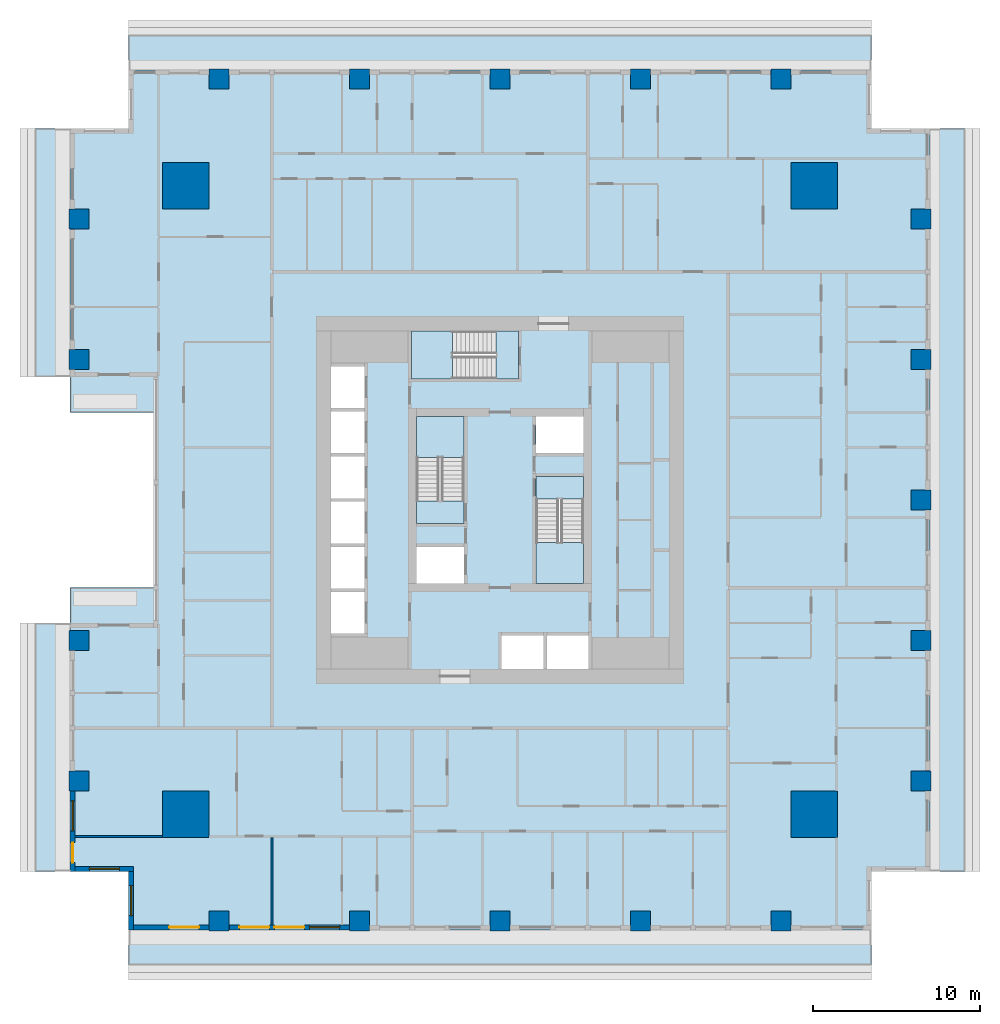
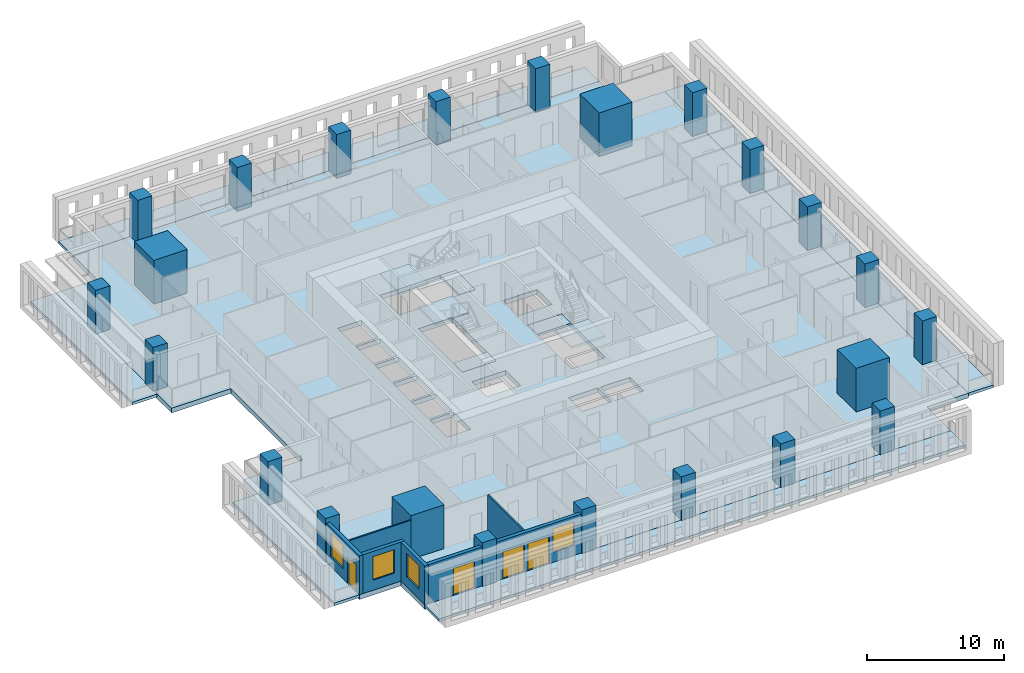
# One storey, part 1 of 15: 23 columns, 12 slabs, 7 walls, 4 doors, 4 windows, 8 openings, 3 elements without a shape of their own.
"""IFC4 building model written with IfcOpenShell, lengths in metres."""

from ifc_helpers import new_model, si_unit, direction, frame, frame_2d, origin, origin_2d, place, context, subcontext, project, spatial, polyline, rectangle, outline, extrude, material, layer, layer_set, material_profile, profile_set, type_object, element, fill, aggregate, save


model = new_model("IFC4")

# Units and contexts
model_context = context("Model", 3, precision=1e-05, world=origin(), true_north=direction((0.0, 1.0)))
body_context = subcontext(model_context, "Body", "Model", "MODEL_VIEW")
ifc_project = project(units=[si_unit("LENGTHUNIT", "METRE"), si_unit("AREAUNIT", "SQUARE_METRE"), si_unit("VOLUMEUNIT", "CUBIC_METRE"), si_unit("PLANEANGLEUNIT", "RADIAN"), si_unit("MASSUNIT", "GRAM", prefix="KILO")], contexts=[model_context])

# Site, building, storey
site_placement = place(None, origin())
site = spatial("IfcSite", under=ifc_project, at=site_placement, CompositionType="ELEMENT")
building_placement = place(site_placement, origin())
building = spatial("IfcBuilding", under=site, at=building_placement, Name="Khepri Terraces", CompositionType="ELEMENT")
storey_placement = place(building_placement, frame((0.0, 0.0, 94.800048828125)))
storey = spatial("IfcBuildingStorey", under=building, at=storey_placement, Name="L22", CompositionType="ELEMENT", Elevation=94.800048828125)

# Columns
ifc_material_1 = material(Name="Concrete C70/85", Category="concrete")
ifc_material_profile_1 = material_profile(ifc_material_1, rectangle(XDim=2.800048828125, YDim=2.800048828125, at=origin_2d()), Name="Concrete C70/85", Category="concrete")
ifc_profile_set_1 = profile_set([ifc_material_profile_1], Name="Concrete C70/85")
column_type_1 = type_object("IfcColumnType", Name="Mega column RC 2800x2800 C70/85", PredefinedType="COLUMN", material=ifc_profile_set_1)
for number, where, z_axis, x_axis, name in (
    (1, (18.800048828125, 18.800048828125, 0.0), (0.0, 0.0, 1.0), (1.0, 0.0, 0.0), "Mega column MEN L22"),
    (2, (18.800048828125, -18.800048828125, 0.0), (0.0, 0.0, 1.0), (1.0, 0.0, 0.0), "Mega column MES L22"),
    (3, (-18.800048828125, 18.800048828125, 0.0), (0.0, 0.0, 1.0), (1.0, 0.0, 0.0), "Mega column MWN L22"),
    (4, (-18.800048828125, -18.800048828125, 0.0), (0.0, 0.0, 1.0), (1.0, 0.0, 0.0), "Mega column MWS L22"),
):
    element("IfcColumn", number, at=place(storey_placement, frame(where, z_axis=z_axis, x_axis=x_axis)), inside=storey, type_object=column_type_1, Name=name, PredefinedType="COLUMN", context=body_context, shape_type="SweptSolid", body=[
        extrude(rectangle(XDim=2.800048828125, YDim=2.800048828125, at=origin_2d()), origin(), (0.0, 0.0, 1.0), 3.89990234375),
    ])
ifc_material_profile_2 = material_profile(ifc_material_1, rectangle(XDim=1.199951171875, YDim=1.199951171875, at=origin_2d()), Name="Concrete C70/85", Category="concrete")
ifc_profile_set_2 = profile_set([ifc_material_profile_2], Name="Concrete C70/85")
column_type_2 = type_object("IfcColumnType", Name="Tower column RC 1200x1200 C70/85", PredefinedType="COLUMN", material=ifc_profile_set_2)
for number, where, z_axis, x_axis, name in (
    (5, (25.199951171875, 0.0, 0.0), (0.0, 0.0, 1.0), (1.0, 0.0, 0.0), "Perimeter column PE+000a L22"),
    (6, (25.199951171875, 8.39990234375, 0.0), (0.0, 0.0, 1.0), (1.0, 0.0, 0.0), "Perimeter column PE+084a L22"),
    (7, (25.199951171875, 16.800048828125, 0.0), (0.0, 0.0, 1.0), (1.0, 0.0, 0.0), "Perimeter column PE+168a L22"),
    (8, (25.199951171875, -8.39990234375, 0.0), (0.0, 0.0, 1.0), (1.0, 0.0, 0.0), "Perimeter column PE-084a L22"),
    (9, (25.199951171875, -16.800048828125, 0.0), (0.0, 0.0, 1.0), (1.0, 0.0, 0.0), "Perimeter column PE-168a L22"),
    (10, (0.0, 25.199951171875, 0.0), (0.0, 0.0, 1.0), (1.0, 0.0, 0.0), "Perimeter column PN+000a L22"),
    (11, (-8.39990234375, 25.199951171875, 0.0), (0.0, 0.0, 1.0), (1.0, 0.0, 0.0), "Perimeter column PN+084a L22"),
    (12, (-16.800048828125, 25.199951171875, 0.0), (0.0, 0.0, 1.0), (1.0, 0.0, 0.0), "Perimeter column PN+168a L22"),
    (13, (8.39990234375, 25.199951171875, 0.0), (0.0, 0.0, 1.0), (1.0, 0.0, 0.0), "Perimeter column PN-084a L22"),
    (14, (16.800048828125, 25.199951171875, 0.0), (0.0, 0.0, 1.0), (1.0, 0.0, 0.0), "Perimeter column PN-168a L22"),
    (15, (0.0, -25.199951171875, 0.0), (0.0, 0.0, 1.0), (1.0, 0.0, 0.0), "Perimeter column PS+000b L22"),
    (16, (8.39990234375, -25.199951171875, 0.0), (0.0, 0.0, 1.0), (1.0, 0.0, 0.0), "Perimeter column PS+084b L22"),
    (17, (16.800048828125, -25.199951171875, 0.0), (0.0, 0.0, 1.0), (1.0, 0.0, 0.0), "Perimeter column PS+168a L22"),
    (18, (-8.39990234375, -25.199951171875, 0.0), (0.0, 0.0, 1.0), (1.0, 0.0, 0.0), "Perimeter column PS-084b L22"),
    (19, (-16.800048828125, -25.199951171875, 0.0), (0.0, 0.0, 1.0), (1.0, 0.0, 0.0), "Perimeter column PS-168a L22"),
    (20, (-25.199951171875, -8.39990234375, 0.0), (0.0, 0.0, 1.0), (1.0, 0.0, 0.0), "Perimeter column PW+084a L22"),
    (21, (-25.199951171875, -16.800048828125, 0.0), (0.0, 0.0, 1.0), (1.0, 0.0, 0.0), "Perimeter column PW+168a L22"),
    (22, (-25.199951171875, 8.39990234375, 0.0), (0.0, 0.0, 1.0), (1.0, 0.0, 0.0), "Perimeter column PW-084a L22"),
    (23, (-25.199951171875, 16.800048828125, 0.0), (0.0, 0.0, 1.0), (1.0, 0.0, 0.0), "Perimeter column PW-168a L22"),
):
    element("IfcColumn", number, at=place(storey_placement, frame(where, z_axis=z_axis, x_axis=x_axis)), inside=storey, type_object=column_type_2, Name=name, PredefinedType="COLUMN", context=body_context, shape_type="SweptSolid", body=[
        extrude(rectangle(XDim=1.199951171875, YDim=1.199951171875, at=origin_2d()), origin(), (0.0, 0.0, 1.0), 3.89990234375),
    ])

# Slabs
ifc_material_2 = material(Name="Concrete C40/50", Category="concrete")
ifc_layer_1 = layer(ifc_material_2, 0.419921875, Name="Concrete C40/50", Category="concrete")
ifc_layer_set_1 = layer_set([ifc_layer_1], Name="Concrete C40/50")
slab_type_1 = type_object("IfcSlabType", Name="Flat plate 420", PredefinedType="FLOOR", material=ifc_layer_set_1)
slab_1_placement = place(storey_placement, frame((0.0, 0.0, -0.420166015625)))
element("IfcSlab", 24, at=slab_1_placement, inside=storey, type_object=slab_type_1, Name="Floor slab F01 L22", PredefinedType="FLOOR", context=body_context, shape_type="SweptSolid", body=[
    extrude(outline(polyline([(22.219970703125, -25.719970703125), (-22.219970703125, -25.719970703125), (-22.219970703125, -22.219970703125), (-25.719970703125, -22.219970703125), (-25.719970703125, -7.35009765625), (-25.719970703125, -5.25), (-20.719970703125, -5.25), (-20.719970703125, 5.25), (-25.719970703125, 5.25), (-25.719970703125, 7.35009765625), (-25.719970703125, 22.219970703125), (-22.219970703125, 22.219970703125), (-22.219970703125, 25.719970703125), (22.219970703125, 25.719970703125), (22.219970703125, 22.219970703125), (25.719970703125, 22.219970703125), (25.719970703125, -22.219970703125), (22.219970703125, -22.219970703125), (22.219970703125, -25.719970703125)]), holes=[polyline([(5.0, 5.0), (2.14990234375, 5.0), (2.14990234375, 2.800048828125), (5.0, 2.800048828125), (5.0, 5.0)]), polyline([(-2.14990234375, -5.0), (-2.14990234375, -2.800048828125), (-5.0, -2.800048828125), (-5.0, -5.0), (-2.14990234375, -5.0)]), polyline([(-10.10009765625, -8.0), (-8.10009765625, -8.0), (-8.10009765625, -5.5), (-10.10009765625, -5.5), (-10.10009765625, -8.0)]), polyline([(-10.10009765625, -2.800048828125), (-10.10009765625, -5.300048828125), (-8.10009765625, -5.300048828125), (-8.10009765625, -2.800048828125), (-10.10009765625, -2.800048828125)]), polyline([(-8.10009765625, -0.10009765625), (-10.10009765625, -0.10009765625), (-10.10009765625, -2.60009765625), (-8.10009765625, -2.60009765625), (-8.10009765625, -0.10009765625)]), polyline([(-8.10009765625, 0.10009765625), (-8.10009765625, 2.60009765625), (-10.10009765625, 2.60009765625), (-10.10009765625, 0.10009765625), (-8.10009765625, 0.10009765625)]), polyline([(-10.10009765625, 2.800048828125), (-8.10009765625, 2.800048828125), (-8.10009765625, 5.300048828125), (-10.10009765625, 5.300048828125), (-10.10009765625, 2.800048828125)]), polyline([(-10.10009765625, 8.0), (-10.10009765625, 5.5), (-8.10009765625, 5.5), (-8.10009765625, 8.0), (-10.10009765625, 8.0)]), polyline([(2.60009765625, -8.10009765625), (0.10009765625, -8.10009765625), (0.10009765625, -10.10009765625), (2.60009765625, -10.10009765625), (2.60009765625, -8.10009765625)]), polyline([(5.300048828125, -10.10009765625), (5.300048828125, -8.10009765625), (2.800048828125, -8.10009765625), (2.800048828125, -10.10009765625), (5.300048828125, -10.10009765625)]), polyline([(-5.0, -1.39990234375), (-2.14990234375, -1.39990234375), (-2.14990234375, 5.0), (-5.0, 5.0), (-5.0, -1.39990234375)]), polyline([(5.0, -5.0), (5.0, 1.39990234375), (2.14990234375, 1.39990234375), (2.14990234375, -5.0), (5.0, -5.0)]), polyline([(-5.300048828125, 10.10009765625), (-5.300048828125, 7.25), (1.10009765625, 7.25), (1.10009765625, 10.10009765625), (-5.300048828125, 10.10009765625)])]), origin(), (0.0, 0.0, 1.0), 0.420166015625),
])
ifc_material_3 = material(Name="Precast concrete C50/60 warm stone", Category="masonry")
ifc_layer_2 = layer(ifc_material_3, 0.25, Name="Precast concrete C50/60 warm stone", Category="masonry")
ifc_layer_set_2 = layer_set([ifc_layer_2], Name="Precast concrete C50/60 warm stone")
slab_type_2 = type_object("IfcSlabType", Name="SLB-BALCONY-250", PredefinedType="FLOOR", material=ifc_layer_set_2)
slab_2_placement = place(storey_placement, frame((0.0, 0.0, -0.25)))
element("IfcSlab", 25, at=slab_2_placement, inside=storey, type_object=slab_type_2, Name="Balcony slab L22 S", PredefinedType="FLOOR", context=body_context, shape_type="SweptSolid", body=[
    extrude(outline(polyline([(-17.39990234375, -25.719970703125), (-22.219970703125, -25.719970703125), (-22.219970703125, -27.820068359375), (22.219970703125, -27.820068359375), (22.219970703125, -25.719970703125), (17.39990234375, -25.719970703125), (17.39990234375, -25.800048828125), (16.199951171875, -25.800048828125), (16.199951171875, -25.719970703125), (9.0, -25.719970703125), (9.0, -25.800048828125), (7.800048828125, -25.800048828125), (7.800048828125, -25.719970703125), (0.60009765625, -25.719970703125), (0.60009765625, -25.800048828125), (-0.60009765625, -25.800048828125), (-0.60009765625, -25.719970703125), (-7.800048828125, -25.719970703125), (-7.800048828125, -25.800048828125), (-9.0, -25.800048828125), (-9.0, -25.719970703125), (-16.199951171875, -25.719970703125), (-16.199951171875, -25.800048828125), (-17.39990234375, -25.800048828125), (-17.39990234375, -25.719970703125)])), origin(), (0.0, 0.0, 1.0), 0.25),
])
slab_3_placement = place(storey_placement, frame((0.0, 0.0, -0.25)))
element("IfcSlab", 26, at=slab_3_placement, inside=storey, type_object=slab_type_2, Name="Balcony slab L22 E", PredefinedType="FLOOR", context=body_context, shape_type="SweptSolid", body=[
    extrude(outline(polyline([(25.719970703125, -17.39990234375), (25.719970703125, -22.219970703125), (27.820068359375, -22.219970703125), (27.820068359375, 22.219970703125), (25.719970703125, 22.219970703125), (25.719970703125, 17.39990234375), (25.800048828125, 17.39990234375), (25.800048828125, 16.199951171875), (25.719970703125, 16.199951171875), (25.719970703125, 9.0), (25.800048828125, 9.0), (25.800048828125, 7.800048828125), (25.719970703125, 7.800048828125), (25.719970703125, 0.60009765625), (25.800048828125, 0.60009765625), (25.800048828125, -0.60009765625), (25.719970703125, -0.60009765625), (25.719970703125, -7.800048828125), (25.800048828125, -7.800048828125), (25.800048828125, -9.0), (25.719970703125, -9.0), (25.719970703125, -16.199951171875), (25.800048828125, -16.199951171875), (25.800048828125, -17.39990234375), (25.719970703125, -17.39990234375)])), origin(), (0.0, 0.0, 1.0), 0.25),
])
slab_4_placement = place(storey_placement, frame((0.0, 0.0, -0.25)))
element("IfcSlab", 27, at=slab_4_placement, inside=storey, type_object=slab_type_2, Name="Balcony slab L22 N", PredefinedType="FLOOR", context=body_context, shape_type="SweptSolid", body=[
    extrude(outline(polyline([(17.39990234375, 25.719970703125), (22.219970703125, 25.719970703125), (22.219970703125, 27.820068359375), (-22.219970703125, 27.820068359375), (-22.219970703125, 25.719970703125), (-17.39990234375, 25.719970703125), (-17.39990234375, 25.800048828125), (-16.199951171875, 25.800048828125), (-16.199951171875, 25.719970703125), (-9.0, 25.719970703125), (-9.0, 25.800048828125), (-7.800048828125, 25.800048828125), (-7.800048828125, 25.719970703125), (-0.60009765625, 25.719970703125), (-0.60009765625, 25.800048828125), (0.60009765625, 25.800048828125), (0.60009765625, 25.719970703125), (7.800048828125, 25.719970703125), (7.800048828125, 25.800048828125), (9.0, 25.800048828125), (9.0, 25.719970703125), (16.199951171875, 25.719970703125), (16.199951171875, 25.800048828125), (17.39990234375, 25.800048828125), (17.39990234375, 25.719970703125)])), origin(), (0.0, 0.0, 1.0), 0.25),
])
slab_5_placement = place(storey_placement, frame((0.0, 0.0, -0.25)))
element("IfcSlab", 28, at=slab_5_placement, inside=storey, type_object=slab_type_2, Name="Balcony slab L22 W", PredefinedType="FLOOR", context=body_context, shape_type="SweptSolid", body=[
    extrude(outline(polyline([(-25.719970703125, 17.39990234375), (-25.719970703125, 22.219970703125), (-27.820068359375, 22.219970703125), (-27.820068359375, 7.35009765625), (-25.719970703125, 7.35009765625), (-25.719970703125, 7.800048828125), (-25.800048828125, 7.800048828125), (-25.800048828125, 9.0), (-25.719970703125, 9.0), (-25.719970703125, 16.199951171875), (-25.800048828125, 16.199951171875), (-25.800048828125, 17.39990234375), (-25.719970703125, 17.39990234375)])), origin(), (0.0, 0.0, 1.0), 0.25),
])
slab_6_placement = place(storey_placement, frame((0.0, 0.0, -0.25)))
element("IfcSlab", 29, at=slab_6_placement, inside=storey, type_object=slab_type_2, Name="Balcony slab L22 W", PredefinedType="FLOOR", context=body_context, shape_type="SweptSolid", body=[
    extrude(outline(polyline([(-25.719970703125, -7.800048828125), (-25.719970703125, -7.35009765625), (-27.820068359375, -7.35009765625), (-27.820068359375, -22.219970703125), (-25.719970703125, -22.219970703125), (-25.719970703125, -17.39990234375), (-25.800048828125, -17.39990234375), (-25.800048828125, -16.199951171875), (-25.719970703125, -16.199951171875), (-25.719970703125, -9.0), (-25.800048828125, -9.0), (-25.800048828125, -7.800048828125), (-25.719970703125, -7.800048828125)])), origin(), (0.0, 0.0, 1.0), 0.25),
])

# Stair, slabs
stair_type = type_object("IfcStairType", Name="STAIR-RC-22R", PredefinedType="HALF_TURN_STAIR", material=ifc_material_2)
stair_1_placement = place(storey_placement, origin())
stair_1 = element("IfcStair", 30, at=stair_1_placement, inside=storey, type_object=stair_type, Name="L22 Exit Stair ST-1", PredefinedType="HALF_TURN_STAIR")
ifc_layer_3 = layer(ifc_material_2, 0.199951171875, Name="Concrete C40/50", Category="concrete")
ifc_layer_set_3 = layer_set([ifc_layer_3], Name="Concrete C40/50")
slab_type_3 = type_object("IfcSlabType", Name="SLB-CORE-LANDING", PredefinedType="LANDING", material=ifc_layer_set_3)
slab_7_placement = place(storey_placement, frame((0.0, 0.0, -0.199951171875)))
slab_7 = element("IfcSlab", 31, at=slab_7_placement, type_object=slab_type_3, Name="ST-1 landing 1", PredefinedType="LANDING", context=body_context, shape_type="SweptSolid", body=[
    extrude(outline(polyline([(-2.14990234375, -1.39990234375), (-2.14990234375, -0.050048828125), (-5.0, -0.050048828125), (-5.0, -1.39990234375), (-2.14990234375, -1.39990234375)])), origin(), (0.0, 0.0, 1.0), 0.199951171875),
])
slab_8_placement = place(storey_placement, frame((0.0, 0.0, 1.75)))
slab_8 = element("IfcSlab", 32, at=slab_8_placement, type_object=slab_type_3, Name="ST-1 landing 2", PredefinedType="LANDING", context=body_context, shape_type="SweptSolid", body=[
    extrude(outline(polyline([(-2.14990234375, 2.550048828125), (-2.14990234375, 5.0), (-5.0, 5.0), (-5.0, 2.550048828125), (-2.14990234375, 2.550048828125)])), origin(), (0.0, 0.0, 1.0), 0.199951171875),
])
aggregate(stair_1, [slab_7, slab_8])

stair_2_placement = place(storey_placement, origin())
stair_2 = element("IfcStair", 33, at=stair_2_placement, inside=storey, type_object=stair_type, Name="L22 Exit Stair ST-2", PredefinedType="HALF_TURN_STAIR")
slab_9_placement = place(storey_placement, frame((0.0, 0.0, -0.199951171875)))
slab_9 = element("IfcSlab", 34, at=slab_9_placement, type_object=slab_type_3, Name="ST-2 landing 1", PredefinedType="LANDING", context=body_context, shape_type="SweptSolid", body=[
    extrude(outline(polyline([(2.14990234375, 1.39990234375), (2.14990234375, 0.050048828125), (5.0, 0.050048828125), (5.0, 1.39990234375), (2.14990234375, 1.39990234375)])), origin(), (0.0, 0.0, 1.0), 0.199951171875),
])
slab_10_placement = place(storey_placement, frame((0.0, 0.0, 1.75)))
slab_10 = element("IfcSlab", 35, at=slab_10_placement, type_object=slab_type_3, Name="ST-2 landing 2", PredefinedType="LANDING", context=body_context, shape_type="SweptSolid", body=[
    extrude(outline(polyline([(2.14990234375, -2.550048828125), (2.14990234375, -5.0), (5.0, -5.0), (5.0, -2.550048828125), (2.14990234375, -2.550048828125)])), origin(), (0.0, 0.0, 1.0), 0.199951171875),
])
aggregate(stair_2, [slab_9, slab_10])

stair_3_placement = place(storey_placement, origin())
stair_3 = element("IfcStair", 36, at=stair_3_placement, inside=storey, type_object=stair_type, Name="L22 Exit Stair ST-3", PredefinedType="HALF_TURN_STAIR")
slab_11_placement = place(storey_placement, frame((0.0, 0.0, -0.199951171875)))
slab_11 = element("IfcSlab", 37, at=slab_11_placement, type_object=slab_type_3, Name="ST-3 landing 1", PredefinedType="LANDING", context=body_context, shape_type="SweptSolid", body=[
    extrude(outline(polyline([(1.10009765625, 10.10009765625), (-0.25, 10.10009765625), (-0.25, 7.25), (1.10009765625, 7.25), (1.10009765625, 10.10009765625)])), origin(), (0.0, 0.0, 1.0), 0.199951171875),
])
slab_12_placement = place(storey_placement, frame((0.0, 0.0, 1.75)))
slab_12 = element("IfcSlab", 38, at=slab_12_placement, type_object=slab_type_3, Name="ST-3 landing 2", PredefinedType="LANDING", context=body_context, shape_type="SweptSolid", body=[
    extrude(outline(polyline([(-2.85009765625, 10.10009765625), (-5.300048828125, 10.10009765625), (-5.300048828125, 7.25), (-2.85009765625, 7.25), (-2.85009765625, 10.10009765625)])), origin(), (0.0, 0.0, 1.0), 0.199951171875),
])
aggregate(stair_3, [slab_11, slab_12])

# Wall, openings, door, window
ifc_layer_4 = layer(ifc_material_3, 0.300048828125, Name="Precast concrete C50/60 warm stone", Category="masonry")
ifc_layer_set_4 = layer_set([ifc_layer_4], Name="Precast concrete C50/60 warm stone")
wall_type_1 = type_object("IfcWallType", Name="WL-EXT-PRECAST-300", PredefinedType="STANDARD", material=ifc_layer_set_4)
wall_1_placement = place(storey_placement, frame((-25.570068359375, -17.39990234375, 0.0), z_axis=(0.0, 0.0, 1.0), x_axis=(0.0, -1.0, 0.0)))
wall_1 = element("IfcWall", 39, at=wall_1_placement, inside=storey, type_object=wall_type_1, Name="External wall L22 W", PredefinedType="STANDARD", context=body_context, shape_type="SweptSolid", body=[
    extrude(rectangle(XDim=4.820068359375, YDim=0.300048828125, at=frame_2d((2.41015625, 0.0))), origin(), (0.0, 0.0, 1.0), 3.47998046875),
])
opening_1_placement = place(wall_1_placement, frame((0.60009765625, 0.0, 0.89990234375)))
opening_1 = element("IfcOpeningElement", 40, at=opening_1_placement, cuts=wall_1, Name="Opening W1", PredefinedType="OPENING", context=body_context, shape_type="SweptSolid", body=[
    extrude(rectangle(XDim=1.800048828125, YDim=2.10009765625, at=frame_2d((0.89990234375, 1.050048828125))), frame((0.0, 0.16015625, 0.0), z_axis=(0.0, -1.0, 0.0), x_axis=(1.0, 0.0, 0.0)), (0.0, 0.0, 1.0), 0.320068359375),
])
opening_2_placement = place(wall_1_placement, frame((3.094970703125, 0.0, 0.0)))
opening_2 = element("IfcOpeningElement", 41, at=opening_2_placement, cuts=wall_1, Name="Opening ED-L22-18", PredefinedType="OPENING", context=body_context, shape_type="SweptSolid", body=[
    extrude(rectangle(XDim=1.199951171875, YDim=2.39990234375, at=frame_2d((0.60009765625, 1.199951171875))), frame((0.0, 0.16015625, 0.0), z_axis=(0.0, -1.0, 0.0), x_axis=(1.0, 0.0, 0.0)), (0.0, 0.0, 1.0), 0.320068359375),
])
ifc_material_4 = material(Name="Anodised aluminium bronze glazed door", Category="aluminium")
door_type_1 = type_object("IfcDoorType", Name="DR-BAL-SLIDE-1200x2400", OperationType="NOTDEFINED", PredefinedType="DOOR", material=ifc_material_4)
door_1_placement = place(opening_2_placement, origin())
door_1 = element("IfcDoor", 42, at=door_1_placement, inside=storey, type_object=door_type_1, Name="Balcony door L22 W", OperationType="SLIDING_TO_RIGHT", OverallHeight=2.39990234375, OverallWidth=1.199951171875, PredefinedType="DOOR", context=body_context, shape_type="SweptSolid", body=[
    extrude(rectangle(XDim=1.199951171875, YDim=2.39990234375, at=frame_2d((0.60009765625, 1.199951171875))), frame((0.0, 0.02490234375, 0.0), z_axis=(0.0, -1.0, 0.0), x_axis=(1.0, 0.0, 0.0)), (0.0, 0.0, 1.0), 0.050048828125),
])
fill(opening_2, door_1)
ifc_material_5 = material(Name="Clear glass", Category="glass")
window_type = type_object("IfcWindowType", Name="WIN-RES-1800x2100", PartitioningType="SINGLE_PANEL", PredefinedType="WINDOW", material=ifc_material_5)
window_1_placement = place(opening_1_placement, origin())
window_1 = element("IfcWindow", 43, at=window_1_placement, inside=storey, type_object=window_type, Name="Window L22 W", OverallHeight=2.10009765625, OverallWidth=1.800048828125, PartitioningType="SINGLE_PANEL", PredefinedType="WINDOW", context=body_context, shape_type="SweptSolid", body=[
    extrude(rectangle(XDim=1.800048828125, YDim=2.10009765625, at=frame_2d((0.89990234375, 1.050048828125))), frame((0.0, 0.030029296875, 0.0), z_axis=(0.0, -1.0, 0.0), x_axis=(1.0, 0.0, 0.0)), (0.0, 0.0, 1.0), 0.06005859375),
])
fill(opening_1, window_1)

# Wall, opening, window
wall_2_placement = place(storey_placement, frame((-25.419921875, -22.070068359375, 0.0), z_axis=(0.0, 0.0, 1.0), x_axis=(1.0, 0.0, 0.0)))
wall_2 = element("IfcWall", 44, at=wall_2_placement, inside=storey, type_object=wall_type_1, Name="External wall L22 S", PredefinedType="STANDARD", context=body_context, shape_type="SweptSolid", body=[
    extrude(rectangle(XDim=3.5, YDim=0.300048828125, at=frame_2d((1.75, 0.0))), origin(), (0.0, 0.0, 1.0), 3.47998046875),
])
opening_3_placement = place(wall_2_placement, frame((0.85009765625, 0.0, 0.89990234375)))
opening_3 = element("IfcOpeningElement", 45, at=opening_3_placement, cuts=wall_2, Name="Opening W1", PredefinedType="OPENING", context=body_context, shape_type="SweptSolid", body=[
    extrude(rectangle(XDim=1.800048828125, YDim=2.10009765625, at=frame_2d((0.89990234375, 1.050048828125))), frame((0.0, 0.16015625, 0.0), z_axis=(0.0, -1.0, 0.0), x_axis=(1.0, 0.0, 0.0)), (0.0, 0.0, 1.0), 0.320068359375),
])
window_2_placement = place(opening_3_placement, origin())
window_2 = element("IfcWindow", 46, at=window_2_placement, inside=storey, type_object=window_type, Name="Window L22 S", OverallHeight=2.10009765625, OverallWidth=1.800048828125, PartitioningType="SINGLE_PANEL", PredefinedType="WINDOW", context=body_context, shape_type="SweptSolid", body=[
    extrude(rectangle(XDim=1.800048828125, YDim=2.10009765625, at=frame_2d((0.89990234375, 1.050048828125))), frame((0.0, 0.030029296875, 0.0), z_axis=(0.0, -1.0, 0.0), x_axis=(1.0, 0.0, 0.0)), (0.0, 0.0, 1.0), 0.06005859375),
])
fill(opening_3, window_2)

wall_3_placement = place(storey_placement, frame((-22.070068359375, -22.219970703125, 0.0), z_axis=(0.0, 0.0, 1.0), x_axis=(0.0, -1.0, 0.0)))
wall_3 = element("IfcWall", 47, at=wall_3_placement, inside=storey, type_object=wall_type_1, Name="External wall L22 W", PredefinedType="STANDARD", context=body_context, shape_type="SweptSolid", body=[
    extrude(rectangle(XDim=3.5, YDim=0.300048828125, at=frame_2d((1.75, 0.0))), origin(), (0.0, 0.0, 1.0), 3.47998046875),
])
opening_4_placement = place(wall_3_placement, frame((0.85009765625, 0.0, 0.89990234375)))
opening_4 = element("IfcOpeningElement", 48, at=opening_4_placement, cuts=wall_3, Name="Opening W1", PredefinedType="OPENING", context=body_context, shape_type="SweptSolid", body=[
    extrude(rectangle(XDim=1.800048828125, YDim=2.10009765625, at=frame_2d((0.89990234375, 1.050048828125))), frame((0.0, 0.16015625, 0.0), z_axis=(0.0, -1.0, 0.0), x_axis=(1.0, 0.0, 0.0)), (0.0, 0.0, 1.0), 0.320068359375),
])
window_3_placement = place(opening_4_placement, origin())
window_3 = element("IfcWindow", 49, at=window_3_placement, inside=storey, type_object=window_type, Name="Window L22 W", OverallHeight=2.10009765625, OverallWidth=1.800048828125, PartitioningType="SINGLE_PANEL", PredefinedType="WINDOW", context=body_context, shape_type="SweptSolid", body=[
    extrude(rectangle(XDim=1.800048828125, YDim=2.10009765625, at=frame_2d((0.89990234375, 1.050048828125))), frame((0.0, 0.030029296875, 0.0), z_axis=(0.0, -1.0, 0.0), x_axis=(1.0, 0.0, 0.0)), (0.0, 0.0, 1.0), 0.06005859375),
])
fill(opening_4, window_3)

# Wall, opening, door
wall_4_placement = place(storey_placement, frame((-21.919921875, -25.570068359375, 0.0), z_axis=(0.0, 0.0, 1.0), x_axis=(1.0, 0.0, 0.0)))
wall_4 = element("IfcWall", 50, at=wall_4_placement, inside=storey, type_object=wall_type_1, Name="External wall L22 S", PredefinedType="STANDARD", context=body_context, shape_type="SweptSolid", body=[
    extrude(rectangle(XDim=4.52001953125, YDim=0.300048828125, at=frame_2d((2.260009765625, 0.0))), origin(), (0.0, 0.0, 1.0), 3.47998046875),
])
opening_5_placement = place(wall_4_placement, frame((2.1201171875, 0.0, 0.0)))
opening_5 = element("IfcOpeningElement", 51, at=opening_5_placement, cuts=wall_4, Name="Opening ED-L22-19", PredefinedType="OPENING", context=body_context, shape_type="SweptSolid", body=[
    extrude(rectangle(XDim=1.800048828125, YDim=2.39990234375, at=frame_2d((0.89990234375, 1.199951171875))), frame((0.0, 0.16015625, 0.0), z_axis=(0.0, -1.0, 0.0), x_axis=(1.0, 0.0, 0.0)), (0.0, 0.0, 1.0), 0.320068359375),
])
door_type_2 = type_object("IfcDoorType", Name="DR-BAL-SLIDE-1800x2400", OperationType="NOTDEFINED", PredefinedType="DOOR", material=ifc_material_4)
door_2_placement = place(opening_5_placement, origin())
door_2 = element("IfcDoor", 52, at=door_2_placement, inside=storey, type_object=door_type_2, Name="Balcony door L22 S", OperationType="SLIDING_TO_RIGHT", OverallHeight=2.39990234375, OverallWidth=1.800048828125, PredefinedType="DOOR", context=body_context, shape_type="SweptSolid", body=[
    extrude(rectangle(XDim=1.800048828125, YDim=2.39990234375, at=frame_2d((0.89990234375, 1.199951171875))), frame((0.0, 0.02490234375, 0.0), z_axis=(0.0, -1.0, 0.0), x_axis=(1.0, 0.0, 0.0)), (0.0, 0.0, 1.0), 0.050048828125),
])
fill(opening_5, door_2)

# Wall, openings, doors, window
wall_5_placement = place(storey_placement, frame((-16.199951171875, -25.570068359375, 0.0), z_axis=(0.0, 0.0, 1.0), x_axis=(1.0, 0.0, 0.0)))
wall_5 = element("IfcWall", 53, at=wall_5_placement, inside=storey, type_object=wall_type_1, Name="External wall L22 S", PredefinedType="STANDARD", context=body_context, shape_type="SweptSolid", body=[
    extrude(rectangle(XDim=7.199951171875, YDim=0.300048828125, at=frame_2d((3.60009765625, 0.0))), origin(), (0.0, 0.0, 1.0), 3.47998046875),
])
opening_6_placement = place(wall_5_placement, frame((0.60009765625, 0.0, 0.0)))
opening_6 = element("IfcOpeningElement", 54, at=opening_6_placement, cuts=wall_5, Name="Opening ED-L22-20", PredefinedType="OPENING", context=body_context, shape_type="SweptSolid", body=[
    extrude(rectangle(XDim=1.800048828125, YDim=2.39990234375, at=frame_2d((0.89990234375, 1.199951171875))), frame((0.0, 0.16015625, 0.0), z_axis=(0.0, -1.0, 0.0), x_axis=(1.0, 0.0, 0.0)), (0.0, 0.0, 1.0), 0.320068359375),
])
opening_7_placement = place(wall_5_placement, frame((2.699951171875, 0.0, 0.0)))
opening_7 = element("IfcOpeningElement", 55, at=opening_7_placement, cuts=wall_5, Name="Opening ED-L22-21", PredefinedType="OPENING", context=body_context, shape_type="SweptSolid", body=[
    extrude(rectangle(XDim=1.800048828125, YDim=2.39990234375, at=frame_2d((0.89990234375, 1.199951171875))), frame((0.0, 0.16015625, 0.0), z_axis=(0.0, -1.0, 0.0), x_axis=(1.0, 0.0, 0.0)), (0.0, 0.0, 1.0), 0.320068359375),
])
opening_8_placement = place(wall_5_placement, frame((4.800048828125, 0.0, 0.89990234375)))
opening_8 = element("IfcOpeningElement", 56, at=opening_8_placement, cuts=wall_5, Name="Opening W1", PredefinedType="OPENING", context=body_context, shape_type="SweptSolid", body=[
    extrude(rectangle(XDim=1.800048828125, YDim=2.10009765625, at=frame_2d((0.89990234375, 1.050048828125))), frame((0.0, 0.16015625, 0.0), z_axis=(0.0, -1.0, 0.0), x_axis=(1.0, 0.0, 0.0)), (0.0, 0.0, 1.0), 0.320068359375),
])
door_3_placement = place(opening_6_placement, origin())
door_3 = element("IfcDoor", 57, at=door_3_placement, inside=storey, type_object=door_type_2, Name="Balcony door L22 S", OperationType="SLIDING_TO_LEFT", OverallHeight=2.39990234375, OverallWidth=1.800048828125, PredefinedType="DOOR", context=body_context, shape_type="SweptSolid", body=[
    extrude(rectangle(XDim=1.800048828125, YDim=2.39990234375, at=frame_2d((0.89990234375, 1.199951171875))), frame((0.0, 0.02490234375, 0.0), z_axis=(0.0, -1.0, 0.0), x_axis=(1.0, 0.0, 0.0)), (0.0, 0.0, 1.0), 0.050048828125),
])
fill(opening_6, door_3)
door_4_placement = place(opening_7_placement, origin())
door_4 = element("IfcDoor", 58, at=door_4_placement, inside=storey, type_object=door_type_2, Name="Balcony door L22 S", OperationType="SLIDING_TO_RIGHT", OverallHeight=2.39990234375, OverallWidth=1.800048828125, PredefinedType="DOOR", context=body_context, shape_type="SweptSolid", body=[
    extrude(rectangle(XDim=1.800048828125, YDim=2.39990234375, at=frame_2d((0.89990234375, 1.199951171875))), frame((0.0, 0.02490234375, 0.0), z_axis=(0.0, -1.0, 0.0), x_axis=(1.0, 0.0, 0.0)), (0.0, 0.0, 1.0), 0.050048828125),
])
fill(opening_7, door_4)
window_4_placement = place(opening_8_placement, origin())
window_4 = element("IfcWindow", 59, at=window_4_placement, inside=storey, type_object=window_type, Name="Window L22 S", OverallHeight=2.10009765625, OverallWidth=1.800048828125, PartitioningType="SINGLE_PANEL", PredefinedType="WINDOW", context=body_context, shape_type="SweptSolid", body=[
    extrude(rectangle(XDim=1.800048828125, YDim=2.10009765625, at=frame_2d((0.89990234375, 1.050048828125))), frame((0.0, 0.030029296875, 0.0), z_axis=(0.0, -1.0, 0.0), x_axis=(1.0, 0.0, 0.0)), (0.0, 0.0, 1.0), 0.06005859375),
])
fill(opening_8, window_4)

# Walls
ifc_material_6 = material(Name="Gypsum plasterboard partition")
ifc_layer_5 = layer(ifc_material_6, 0.1201171875, Name="Gypsum plasterboard partition")
ifc_layer_set_5 = layer_set([ifc_layer_5], Name="Gypsum plasterboard partition")
wall_type_2 = type_object("IfcWallType", Name="WL-PART-120", PredefinedType="PARTITIONING", material=ifc_layer_set_5)
wall_6_placement = place(storey_placement, frame((-13.64990234375, -25.419921875, 0.0), z_axis=(0.0, 0.0, 1.0), x_axis=(0.0, 1.0, 0.0)))
element("IfcWall", 60, at=wall_6_placement, inside=storey, type_object=wall_type_2, Name="Partition P-001 L22", PredefinedType="PARTITIONING", context=body_context, shape_type="SweptSolid", body=[
    extrude(rectangle(XDim=5.239990234375, YDim=0.1201171875, at=frame_2d((2.6201171875, 0.0))), origin(), (0.0, 0.0, 1.0), 3.47998046875),
])
wall_7_placement = place(storey_placement, frame((-25.419921875, -20.1201171875, 0.0), z_axis=(0.0, 0.0, 1.0), x_axis=(1.0, 0.0, 0.0)))
element("IfcWall", 61, at=wall_7_placement, inside=storey, type_object=wall_type_2, Name="Partition P-012 L22", PredefinedType="PARTITIONING", context=body_context, shape_type="SweptSolid", body=[
    extrude(rectangle(XDim=5.219970703125, YDim=0.1201171875, at=frame_2d((2.60986328125, 0.0))), origin(), (0.0, 0.0, 1.0), 3.47998046875),
])

save(model, "model.ifc")
